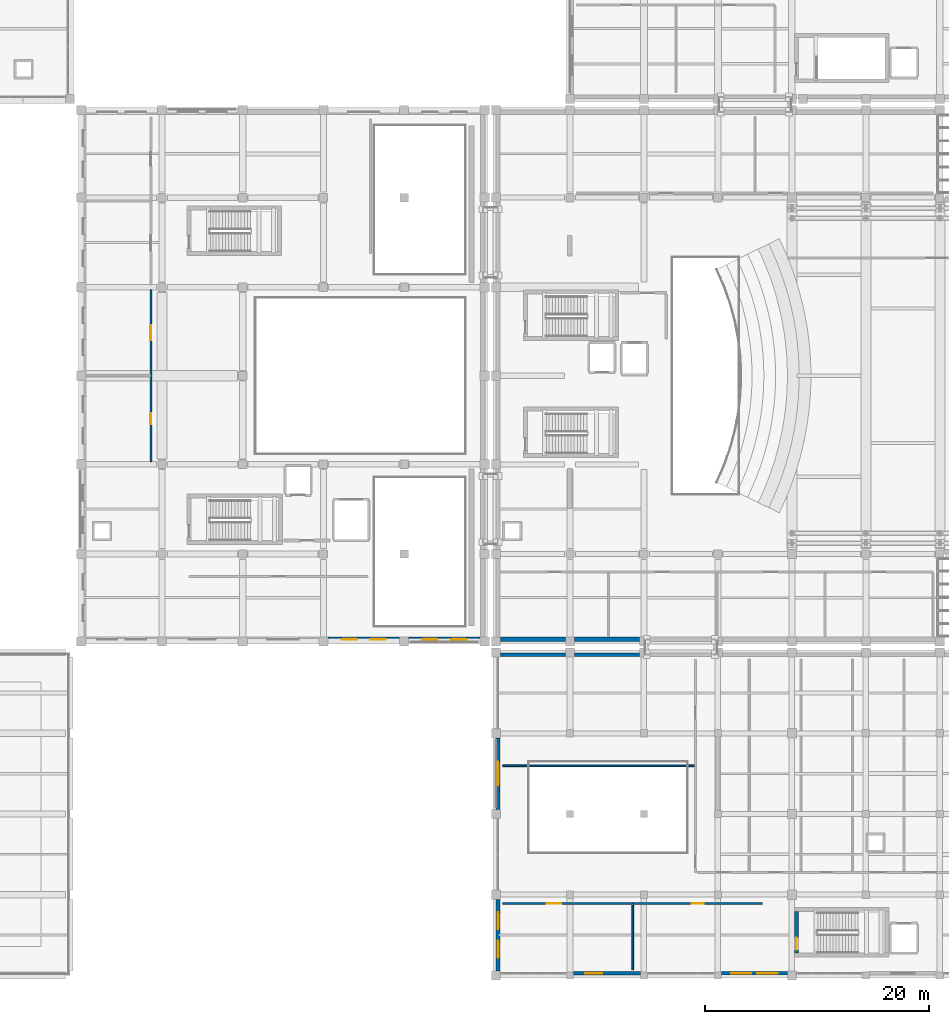
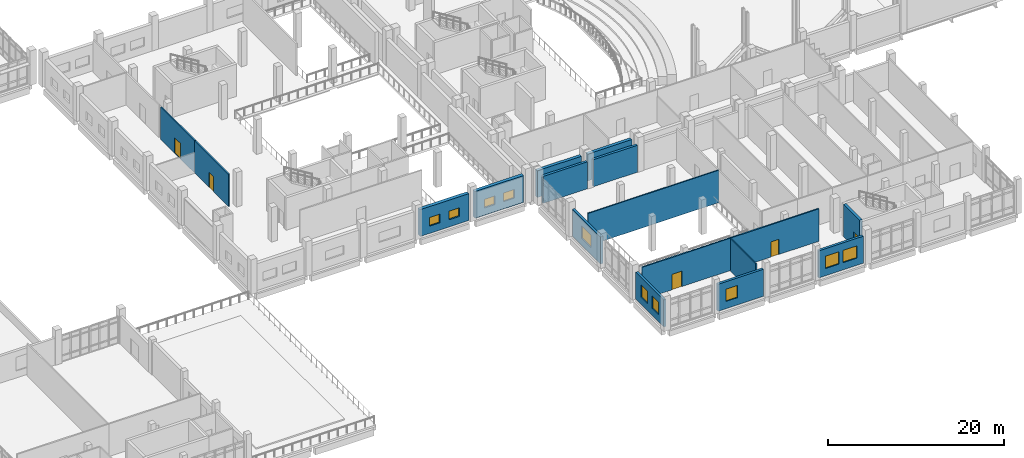
# One storey, part 50 of 73: 17 walls, 10 windows, 5 doors, 15 openings.
"""IFC4 building model written with IfcOpenShell, lengths in metres."""

from ifc_helpers import new_model, si_unit, direction, frame, frame_2d, origin, place, context, subcontext, project, spatial, rectangle, extrude, material, layer, layer_set, type_object, element, fill, save


model = new_model("IFC4")

# Units and contexts
model_context = context("Model", 3, precision=1e-05, world=origin(), true_north=direction((0.0, 1.0)))
body_context = subcontext(model_context, "Body", "Model", "MODEL_VIEW")
ifc_project = project(units=[si_unit("LENGTHUNIT", "METRE"), si_unit("AREAUNIT", "SQUARE_METRE"), si_unit("VOLUMEUNIT", "CUBIC_METRE"), si_unit("PLANEANGLEUNIT", "RADIAN"), si_unit("MASSUNIT", "GRAM", prefix="KILO")], contexts=[model_context])

# Site, building, storey
site_placement = place(None, origin())
site = spatial("IfcSite", under=ifc_project, at=site_placement, CompositionType="ELEMENT")
building_placement = place(site_placement, origin())
building = spatial("IfcBuilding", under=site, at=building_placement, Name="Kelarvand Opera House", CompositionType="ELEMENT")
storey_placement = place(building_placement, frame((0.0, 0.0, 10.199951171875)))
storey = spatial("IfcBuildingStorey", under=building, at=storey_placement, Name="L02", CompositionType="ELEMENT", Elevation=10.199951171875)

# Walls
ifc_material_1 = material(Name="Concrete C35/45", Category="concrete")
ifc_layer_1 = layer(ifc_material_1, 0.39990234375, Name="Concrete C35/45", Category="concrete")
ifc_layer_set_1 = layer_set([ifc_layer_1], Name="Concrete C35/45")
wall_type_1 = type_object("IfcWallType", Name="Acoustic Brick-Travertine Double Wall 400", PredefinedType="SOLIDWALL", material=ifc_layer_set_1)
for number, where, z_axis, x_axis, name in (
    (1, (101.7900390625, 38.97998046875, 0.0), (0.0, 0.0, 1.0), (-1.0, 0.0, 0.0), "V1 L02 Exterior Wall EW-400 (109)"),
    (2, (95.18994140625, 38.97998046875, 0.0), (0.0, 0.0, 1.0), (-1.0, 0.0, 0.0), "V1 L02 Exterior Wall EW-400 (110)"),
):
    element("IfcWall", number, at=place(storey_placement, frame(where, z_axis=z_axis, x_axis=x_axis)), inside=storey, type_object=wall_type_1, Name=name, PredefinedType="SOLIDWALL", context=body_context, shape_type="SweptSolid", body=[
        extrude(rectangle(XDim=5.780029296875, YDim=0.39990234375, at=frame_2d((2.89013671875, 0.0))), origin(), (0.0, 0.0, 1.0), 3.72216796875),
    ])
ifc_material_2 = material(Name="Acoustic double-stud gypsum partition")
ifc_layer_2 = layer(ifc_material_2, 0.14990234375, Name="Acoustic double-stud gypsum partition")
ifc_layer_set_2 = layer_set([ifc_layer_2], Name="Acoustic double-stud gypsum partition")
wall_type_2 = type_object("IfcWallType", Name="Acoustic Room Partition Wall 150", PredefinedType="PARTITIONING", material=ifc_layer_set_2)
wall_1_placement = place(storey_placement, frame((101.199951171875, 9.5, 0.0), z_axis=(0.0, 0.0, 1.0), x_axis=(0.0, 1.0, 0.0)))
element("IfcWall", 3, at=wall_1_placement, inside=storey, type_object=wall_type_2, Name="V6 L02 Partition Wall IW-150 (530)", PredefinedType="PARTITIONING", context=body_context, shape_type="SweptSolid", body=[
    extrude(rectangle(XDim=5.760009765625, YDim=0.14990234375, at=frame_2d((2.8798828125, 0.0))), origin(), (0.0, 0.0, 1.0), 4.491943359375),
])
wall_2_placement = place(storey_placement, frame((89.60009765625, 27.699951171875, 0.0), z_axis=(0.0, 0.0, 1.0), x_axis=(1.0, 0.0, 0.0)))
element("IfcWall", 4, at=wall_2_placement, inside=storey, type_object=wall_type_2, Name="V6 L02 Partition Wall IW-150 (533)", PredefinedType="PARTITIONING", context=body_context, shape_type="SweptSolid", body=[
    extrude(rectangle(XDim=17.199951171875, YDim=0.14990234375, at=frame_2d((8.60009765625, 0.0))), origin(), (0.0, 0.0, 1.0), 4.491943359375),
])

# Wall, opening, door
ifc_material_3 = material(Name="Concrete C40/50", Category="concrete")
ifc_layer_3 = layer(ifc_material_3, 0.35009765625, Name="Concrete C40/50", Category="concrete")
ifc_layer_set_3 = layer_set([ifc_layer_3], Name="Concrete C40/50")
wall_type_3 = type_object("IfcWallType", Name="Core Stair and Lift Shear Wall 350", PredefinedType="SHEAR", material=ifc_layer_set_3)
wall_3_placement = place(storey_placement, frame((115.824951171875, 11.0, 0.0), z_axis=(0.0, 0.0, 1.0), x_axis=(0.0, 1.0, 0.0)))
wall_3 = element("IfcWall", 5, at=wall_3_placement, inside=storey, type_object=wall_type_3, Name="C8 Stair Core Shear Wall W L02", PredefinedType="SHEAR", context=body_context, shape_type="SweptSolid", body=[
    extrude(rectangle(XDim=3.699951171875, YDim=0.35009765625, at=frame_2d((1.85009765625, 0.0))), origin(), (0.0, 0.0, 1.0), 4.5),
])
opening_1_placement = place(wall_3_placement, frame((0.280029296875, 0.0, 0.0)))
opening_1 = element("IfcOpeningElement", 6, at=opening_1_placement, cuts=wall_3, Name="Opening FD-01", PredefinedType="OPENING", context=body_context, shape_type="SweptSolid", body=[
    extrude(rectangle(XDim=1.10009765625, YDim=2.080078125, at=frame_2d((0.550048828125, 1.0400390625))), frame((0.0, 0.18505859375, 0.0), z_axis=(0.0, -1.0, 0.0), x_axis=(1.0, 0.0, 0.0)), (0.0, 0.0, 1.0), 0.3701171875),
])
ifc_material_4 = material(Name="Fire-rated brushed stainless steel", Category="steel")
door_type_1 = type_object("IfcDoorType", Name="Steel Fire-Rated Stair and FF Lobby Door 1100x2080", OperationType="NOTDEFINED", PredefinedType="DOOR", material=ifc_material_4)
door_1_placement = place(opening_1_placement, origin())
door_1 = element("IfcDoor", 7, at=door_1_placement, inside=storey, type_object=door_type_1, Name="C8 Stair ST-08 Fire Door L02", OperationType="SINGLE_SWING_RIGHT", OverallHeight=2.080078125, OverallWidth=1.10009765625, PredefinedType="DOOR", context=body_context, shape_type="SweptSolid", body=[
    extrude(rectangle(XDim=1.10009765625, YDim=2.080078125, at=frame_2d((0.550048828125, 1.0400390625))), frame((0.0, 0.02490234375, 0.0), z_axis=(0.0, -1.0, 0.0), x_axis=(1.0, 0.0, 0.0)), (0.0, 0.0, 1.0), 0.050048828125),
])
fill(opening_1, door_1)

ifc_layer_4 = layer(ifc_material_1, 0.179931640625, Name="Concrete C35/45", Category="concrete")
ifc_layer_set_4 = layer_set([ifc_layer_4], Name="Concrete C35/45")
wall_type_4 = type_object("IfcWallType", Name="Corridor Fire-Rated Partition Wall 180 EI90", PredefinedType="PARTITIONING", material=ifc_layer_set_4)
wall_4_placement = place(storey_placement, frame((58.199951171875, 54.800048828125, 0.0), z_axis=(0.0, 0.0, 1.0), x_axis=(0.0, 1.0, 0.0)))
wall_4 = element("IfcWall", 8, at=wall_4_placement, inside=storey, type_object=wall_type_4, Name="V2 L02 Partition Wall IW-90 (492)", PredefinedType="PARTITIONING", context=body_context, shape_type="SweptSolid", body=[
    extrude(rectangle(XDim=7.699951171875, YDim=0.179931640625, at=frame_2d((3.85009765625, 0.0))), origin(), (0.0, 0.0, 1.0), 4.47216796875),
])
opening_2_placement = place(wall_4_placement, frame((3.360107421875, 0.0, 0.0)))
opening_2 = element("IfcOpeningElement", 9, at=opening_2_placement, cuts=wall_4, Name="Opening D-09", PredefinedType="OPENING", context=body_context, shape_type="SweptSolid", body=[
    extrude(rectangle(XDim=0.97998046875, YDim=2.080078125, at=frame_2d((0.489990234375, 1.0400390625))), frame((0.0, 0.10009765625, 0.0), z_axis=(0.0, -1.0, 0.0), x_axis=(1.0, 0.0, 0.0)), (0.0, 0.0, 1.0), 0.199951171875),
])
ifc_material_5 = material(Name="Acoustic walnut-veneered hardwood", Category="wood")
door_type_2 = type_object("IfcDoorType", Name="Soloist Acoustic Timber Door 980x2080", OperationType="NOTDEFINED", PredefinedType="DOOR", material=ifc_material_5)
door_2_placement = place(opening_2_placement, origin())
door_2 = element("IfcDoor", 10, at=door_2_placement, inside=storey, type_object=door_type_2, Name="V2 L02 Door D-09 (217)", OperationType="SINGLE_SWING_RIGHT", OverallHeight=2.080078125, OverallWidth=0.97998046875, PredefinedType="DOOR", context=body_context, shape_type="SweptSolid", body=[
    extrude(rectangle(XDim=0.97998046875, YDim=2.080078125, at=frame_2d((0.489990234375, 1.0400390625))), frame((0.0, 0.02490234375, 0.0), z_axis=(0.0, -1.0, 0.0), x_axis=(1.0, 0.0, 0.0)), (0.0, 0.0, 1.0), 0.050048828125),
])
fill(opening_2, door_2)

wall_5_placement = place(storey_placement, frame((58.199951171875, 62.5, 0.0), z_axis=(0.0, 0.0, 1.0), x_axis=(0.0, 1.0, 0.0)))
wall_5 = element("IfcWall", 11, at=wall_5_placement, inside=storey, type_object=wall_type_4, Name="V2 L02 Partition Wall IW-90 (494)", PredefinedType="PARTITIONING", context=body_context, shape_type="SweptSolid", body=[
    extrude(rectangle(XDim=7.699951171875, YDim=0.179931640625, at=frame_2d((3.85009765625, 0.0))), origin(), (0.0, 0.0, 1.0), 4.47216796875),
])
opening_3_placement = place(wall_5_placement, frame((3.175048828125, 0.0, 0.0)))
opening_3 = element("IfcOpeningElement", 12, at=opening_3_placement, cuts=wall_5, Name="Opening D-12", PredefinedType="OPENING", context=body_context, shape_type="SweptSolid", body=[
    extrude(rectangle(XDim=1.35009765625, YDim=2.159912109375, at=frame_2d((0.675048828125, 1.080078125))), frame((0.0, 0.10009765625, 0.0), z_axis=(0.0, -1.0, 0.0), x_axis=(1.0, 0.0, 0.0)), (0.0, 0.0, 1.0), 0.199951171875),
])
door_type_3 = type_object("IfcDoorType", Name="Wardrobe Studio Leaf-and-Half Door 1350x2160", OperationType="NOTDEFINED", PredefinedType="DOOR", material=ifc_material_5)
door_3_placement = place(opening_3_placement, origin())
door_3 = element("IfcDoor", 13, at=door_3_placement, inside=storey, type_object=door_type_3, Name="V2 L02 Door D-12 (218)", OperationType="SINGLE_SWING_LEFT", OverallHeight=2.159912109375, OverallWidth=1.35009765625, PredefinedType="DOOR", context=body_context, shape_type="SweptSolid", body=[
    extrude(rectangle(XDim=1.35009765625, YDim=2.159912109375, at=frame_2d((0.675048828125, 1.080078125))), frame((0.0, 0.02490234375, 0.0), z_axis=(0.0, -1.0, 0.0), x_axis=(1.0, 0.0, 0.0)), (0.0, 0.0, 1.0), 0.050048828125),
])
fill(opening_3, door_3)

wall_6_placement = place(storey_placement, frame((89.60009765625, 15.39990234375, 0.0), z_axis=(0.0, 0.0, 1.0), x_axis=(1.0, 0.0, 0.0)))
wall_6 = element("IfcWall", 14, at=wall_6_placement, inside=storey, type_object=wall_type_4, Name="V6 L02 Partition Wall IW-90 (529)", PredefinedType="PARTITIONING", context=body_context, shape_type="SweptSolid", body=[
    extrude(rectangle(XDim=11.599853515625, YDim=0.179931640625, at=frame_2d((5.7998046875, 0.0))), origin(), (0.0, 0.0, 1.0), 4.491943359375),
])
opening_4_placement = place(wall_6_placement, frame((3.93408203125, 0.0, 0.0)))
opening_4 = element("IfcOpeningElement", 15, at=opening_4_placement, cuts=wall_6, Name="Opening D-11", PredefinedType="OPENING", context=body_context, shape_type="SweptSolid", body=[
    extrude(rectangle(XDim=1.280029296875, YDim=2.139892578125, at=frame_2d((0.64013671875, 1.06982421875))), frame((0.0, 0.10009765625, 0.0), z_axis=(0.0, -1.0, 0.0), x_axis=(1.0, 0.0, 0.0)), (0.0, 0.0, 1.0), 0.199951171875),
])
door_type_4 = type_object("IfcDoorType", Name="Instrument Store Leaf-and-Half Door 1280x2140", OperationType="NOTDEFINED", PredefinedType="DOOR", material=ifc_material_5)
door_4_placement = place(opening_4_placement, origin())
door_4 = element("IfcDoor", 16, at=door_4_placement, inside=storey, type_object=door_type_4, Name="V6 L02 Door D-11 (237)", OperationType="SINGLE_SWING_LEFT", OverallHeight=2.139892578125, OverallWidth=1.280029296875, PredefinedType="DOOR", context=body_context, shape_type="SweptSolid", body=[
    extrude(rectangle(XDim=1.280029296875, YDim=2.139892578125, at=frame_2d((0.64013671875, 1.06982421875))), frame((0.0, 0.02490234375, 0.0), z_axis=(0.0, -1.0, 0.0), x_axis=(1.0, 0.0, 0.0)), (0.0, 0.0, 1.0), 0.050048828125),
])
fill(opening_4, door_4)

wall_7_placement = place(storey_placement, frame((101.199951171875, 15.39990234375, 0.0), z_axis=(0.0, 0.0, 1.0), x_axis=(1.0, 0.0, 0.0)))
wall_7 = element("IfcWall", 17, at=wall_7_placement, inside=storey, type_object=wall_type_4, Name="V6 L02 Partition Wall IW-90 (531)", PredefinedType="PARTITIONING", context=body_context, shape_type="SweptSolid", body=[
    extrude(rectangle(XDim=11.60009765625, YDim=0.179931640625, at=frame_2d((5.800048828125, 0.0))), origin(), (0.0, 0.0, 1.0), 4.491943359375),
])
opening_5_placement = place(wall_7_placement, frame((5.27490234375, 0.0, 0.0)))
opening_5 = element("IfcOpeningElement", 18, at=opening_5_placement, cuts=wall_7, Name="Opening D-02", PredefinedType="OPENING", context=body_context, shape_type="SweptSolid", body=[
    extrude(rectangle(XDim=1.050048828125, YDim=2.10009765625, at=frame_2d((0.52490234375, 1.050048828125))), frame((0.0, 0.10009765625, 0.0), z_axis=(0.0, -1.0, 0.0), x_axis=(1.0, 0.0, 0.0)), (0.0, 0.0, 1.0), 0.199951171875),
])
door_type_5 = type_object("IfcDoorType", Name="Acoustic Studio Single Door 1050x2100", OperationType="NOTDEFINED", PredefinedType="DOOR", material=ifc_material_5)
door_5_placement = place(opening_5_placement, origin())
door_5 = element("IfcDoor", 19, at=door_5_placement, inside=storey, type_object=door_type_5, Name="V6 L02 Door D-02 (238)", OperationType="SINGLE_SWING_RIGHT", OverallHeight=2.10009765625, OverallWidth=1.050048828125, PredefinedType="DOOR", context=body_context, shape_type="SweptSolid", body=[
    extrude(rectangle(XDim=1.050048828125, YDim=2.10009765625, at=frame_2d((0.52490234375, 1.050048828125))), frame((0.0, 0.02490234375, 0.0), z_axis=(0.0, -1.0, 0.0), x_axis=(1.0, 0.0, 0.0)), (0.0, 0.0, 1.0), 0.050048828125),
])
fill(opening_5, door_5)

# Walls
ifc_layer_5 = layer(ifc_material_1, 0.320068359375, Name="Concrete C35/45", Category="concrete")
ifc_layer_set_5 = layer_set([ifc_layer_5], Name="Concrete C35/45")
wall_type_5 = type_object("IfcWallType", Name="Insulated Buff Brick Cavity Wall 320", PredefinedType="SOLIDWALL", material=ifc_layer_set_5)
for number, where, z_axis, x_axis, name in (
    (20, (89.409912109375, 37.6201171875, 0.0), (0.0, 0.0, 1.0), (1.0, 0.0, 0.0), "V6 L02 Exterior Wall EW-320 (737)"),
    (21, (96.010009765625, 37.6201171875, 0.0), (0.0, 0.0, 1.0), (1.0, 0.0, 0.0), "V6 L02 Exterior Wall EW-320 (738)"),
):
    element("IfcWall", number, at=place(storey_placement, frame(where, z_axis=z_axis, x_axis=x_axis)), inside=storey, type_object=wall_type_5, Name=name, PredefinedType="SOLIDWALL", context=body_context, shape_type="SweptSolid", body=[
        extrude(rectangle(XDim=5.780029296875, YDim=0.320068359375, at=frame_2d((2.89013671875, 0.0))), origin(), (0.0, 0.0, 1.0), 3.741943359375),
    ])

# Wall, openings, windows
wall_8_placement = place(storey_placement, frame((89.179931640625, 9.409912109375, 0.0), z_axis=(0.0, 0.0, 1.0), x_axis=(0.0, 1.0, 0.0)))
wall_8 = element("IfcWall", 22, at=wall_8_placement, inside=storey, type_object=wall_type_5, Name="V6 L02 Exterior Wall EW-320 (744)", PredefinedType="SOLIDWALL", context=body_context, shape_type="SweptSolid", body=[
    extrude(rectangle(XDim=6.380126953125, YDim=0.320068359375, at=frame_2d((3.18994140625, 0.0))), origin(), (0.0, 0.0, 1.0), 3.741943359375),
])
opening_6_placement = place(wall_8_placement, frame((1.1640625, 0.0, 1.0)))
opening_6 = element("IfcOpeningElement", 23, at=opening_6_placement, cuts=wall_8, Name="Opening WN-17", PredefinedType="OPENING", context=body_context, shape_type="SweptSolid", body=[
    extrude(rectangle(XDim=1.5, YDim=1.699951171875, at=frame_2d((0.75, 0.85009765625))), frame((0.0, 0.169921875, 0.0), z_axis=(0.0, -1.0, 0.0), x_axis=(1.0, 0.0, 0.0)), (0.0, 0.0, 1.0), 0.340087890625),
])
opening_7_placement = place(wall_8_placement, frame((3.716064453125, 0.0, 1.0)))
opening_7 = element("IfcOpeningElement", 24, at=opening_7_placement, cuts=wall_8, Name="Opening WN-17", PredefinedType="OPENING", context=body_context, shape_type="SweptSolid", body=[
    extrude(rectangle(XDim=1.5, YDim=1.699951171875, at=frame_2d((0.75, 0.85009765625))), frame((0.0, 0.169921875, 0.0), z_axis=(0.0, -1.0, 0.0), x_axis=(1.0, 0.0, 0.0)), (0.0, 0.0, 1.0), 0.340087890625),
])
ifc_material_6 = material(Name="Thermally broken aluminium and low-E double glazing", Category="aluminium")
window_type_1 = type_object("IfcWindowType", Name="Recessed Aluminium Thermal Window 1500x1700 WN-17", PartitioningType="SINGLE_PANEL", PredefinedType="WINDOW", material=ifc_material_6)
window_1_placement = place(opening_6_placement, origin())
window_1 = element("IfcWindow", 25, at=window_1_placement, inside=storey, type_object=window_type_1, Name="V6 L02 Facade Window WN-17 (344)", OverallHeight=1.699951171875, OverallWidth=1.5, PartitioningType="SINGLE_PANEL", PredefinedType="WINDOW", context=body_context, shape_type="SweptSolid", body=[
    extrude(rectangle(XDim=1.5, YDim=1.699951171875, at=frame_2d((0.75, 0.85009765625))), frame((0.0, 0.030029296875, 0.0), z_axis=(0.0, -1.0, 0.0), x_axis=(1.0, 0.0, 0.0)), (0.0, 0.0, 1.0), 0.06005859375),
])
fill(opening_6, window_1)
window_2_placement = place(opening_7_placement, origin())
window_2 = element("IfcWindow", 26, at=window_2_placement, inside=storey, type_object=window_type_1, Name="V6 L02 Facade Window WN-17 (345)", OverallHeight=1.699951171875, OverallWidth=1.5, PartitioningType="SINGLE_PANEL", PredefinedType="WINDOW", context=body_context, shape_type="SweptSolid", body=[
    extrude(rectangle(XDim=1.5, YDim=1.699951171875, at=frame_2d((0.75, 0.85009765625))), frame((0.0, 0.030029296875, 0.0), z_axis=(0.0, -1.0, 0.0), x_axis=(1.0, 0.0, 0.0)), (0.0, 0.0, 1.0), 0.06005859375),
])
fill(opening_7, window_2)

# Wall, opening, window
wall_9_placement = place(storey_placement, frame((89.179931640625, 23.81005859375, 0.0), z_axis=(0.0, 0.0, 1.0), x_axis=(0.0, 1.0, 0.0)))
wall_9 = element("IfcWall", 27, at=wall_9_placement, inside=storey, type_object=wall_type_5, Name="V6 L02 Exterior Wall EW-320 (745)", PredefinedType="SOLIDWALL", context=body_context, shape_type="SweptSolid", body=[
    extrude(rectangle(XDim=6.3798828125, YDim=0.320068359375, at=frame_2d((3.18994140625, 0.0))), origin(), (0.0, 0.0, 1.0), 3.741943359375),
])
opening_8_placement = place(wall_9_placement, frame((2.139892578125, 0.0, 1.0)))
opening_8 = element("IfcOpeningElement", 28, at=opening_8_placement, cuts=wall_9, Name="Opening WN-19", PredefinedType="OPENING", context=body_context, shape_type="SweptSolid", body=[
    extrude(rectangle(XDim=2.10009765625, YDim=1.699951171875, at=frame_2d((1.050048828125, 0.85009765625))), frame((0.0, 0.169921875, 0.0), z_axis=(0.0, -1.0, 0.0), x_axis=(1.0, 0.0, 0.0)), (0.0, 0.0, 1.0), 0.340087890625),
])
window_type_2 = type_object("IfcWindowType", Name="Recessed Aluminium Thermal Window 2100x1700 WN-19", PartitioningType="SINGLE_PANEL", PredefinedType="WINDOW", material=ifc_material_6)
window_3_placement = place(opening_8_placement, origin())
window_3 = element("IfcWindow", 29, at=window_3_placement, inside=storey, type_object=window_type_2, Name="V6 L02 Facade Window WN-19 (346)", OverallHeight=1.699951171875, OverallWidth=2.10009765625, PartitioningType="SINGLE_PANEL", PredefinedType="WINDOW", context=body_context, shape_type="SweptSolid", body=[
    extrude(rectangle(XDim=2.10009765625, YDim=1.699951171875, at=frame_2d((1.050048828125, 0.85009765625))), frame((0.0, 0.030029296875, 0.0), z_axis=(0.0, -1.0, 0.0), x_axis=(1.0, 0.0, 0.0)), (0.0, 0.0, 1.0), 0.06005859375),
])
fill(opening_8, window_3)

# Wall, openings, windows
wall_10_placement = place(storey_placement, frame((114.989990234375, 9.179931640625, 0.0), z_axis=(0.0, 0.0, 1.0), x_axis=(-1.0, 0.0, 0.0)))
wall_10 = element("IfcWall", 30, at=wall_10_placement, inside=storey, type_object=wall_type_5, Name="V6 L02 Exterior Wall EW-320 (747)", PredefinedType="SOLIDWALL", context=body_context, shape_type="SweptSolid", body=[
    extrude(rectangle(XDim=5.864990234375, YDim=0.320068359375, at=frame_2d((2.9326171875, 0.0))), origin(), (0.0, 0.0, 1.0), 3.741943359375),
])
opening_9_placement = place(wall_10_placement, frame((0.85888671875, 0.0, 1.0)))
opening_9 = element("IfcOpeningElement", 31, at=opening_9_placement, cuts=wall_10, Name="Opening WN-18", PredefinedType="OPENING", context=body_context, shape_type="SweptSolid", body=[
    extrude(rectangle(XDim=1.800048828125, YDim=1.699951171875, at=frame_2d((0.89990234375, 0.85009765625))), frame((0.0, 0.169921875, 0.0), z_axis=(0.0, -1.0, 0.0), x_axis=(1.0, 0.0, 0.0)), (0.0, 0.0, 1.0), 0.340087890625),
])
opening_10_placement = place(wall_10_placement, frame((3.205078125, 0.0, 1.0)))
opening_10 = element("IfcOpeningElement", 32, at=opening_10_placement, cuts=wall_10, Name="Opening WN-18", PredefinedType="OPENING", context=body_context, shape_type="SweptSolid", body=[
    extrude(rectangle(XDim=1.800048828125, YDim=1.699951171875, at=frame_2d((0.89990234375, 0.85009765625))), frame((0.0, 0.169921875, 0.0), z_axis=(0.0, -1.0, 0.0), x_axis=(1.0, 0.0, 0.0)), (0.0, 0.0, 1.0), 0.340087890625),
])
window_type_3 = type_object("IfcWindowType", Name="Recessed Aluminium Thermal Window 1800x1700 WN-18", PartitioningType="SINGLE_PANEL", PredefinedType="WINDOW", material=ifc_material_6)
window_4_placement = place(opening_9_placement, origin())
window_4 = element("IfcWindow", 33, at=window_4_placement, inside=storey, type_object=window_type_3, Name="V6 L02 Facade Window WN-18 (348)", OverallHeight=1.699951171875, OverallWidth=1.800048828125, PartitioningType="SINGLE_PANEL", PredefinedType="WINDOW", context=body_context, shape_type="SweptSolid", body=[
    extrude(rectangle(XDim=1.800048828125, YDim=1.699951171875, at=frame_2d((0.89990234375, 0.85009765625))), frame((0.0, 0.030029296875, 0.0), z_axis=(0.0, -1.0, 0.0), x_axis=(1.0, 0.0, 0.0)), (0.0, 0.0, 1.0), 0.06005859375),
])
fill(opening_9, window_4)
window_5_placement = place(opening_10_placement, origin())
window_5 = element("IfcWindow", 34, at=window_5_placement, inside=storey, type_object=window_type_3, Name="V6 L02 Facade Window WN-18 (349)", OverallHeight=1.699951171875, OverallWidth=1.800048828125, PartitioningType="SINGLE_PANEL", PredefinedType="WINDOW", context=body_context, shape_type="SweptSolid", body=[
    extrude(rectangle(XDim=1.800048828125, YDim=1.699951171875, at=frame_2d((0.89990234375, 0.85009765625))), frame((0.0, 0.030029296875, 0.0), z_axis=(0.0, -1.0, 0.0), x_axis=(1.0, 0.0, 0.0)), (0.0, 0.0, 1.0), 0.06005859375),
])
fill(opening_10, window_5)

# Wall, opening, window
wall_11_placement = place(storey_placement, frame((101.875, 9.179931640625, 0.0), z_axis=(0.0, 0.0, 1.0), x_axis=(-1.0, 0.0, 0.0)))
wall_11 = element("IfcWall", 35, at=wall_11_placement, inside=storey, type_object=wall_type_5, Name="V6 L02 Exterior Wall EW-320 (748)", PredefinedType="SOLIDWALL", context=body_context, shape_type="SweptSolid", body=[
    extrude(rectangle(XDim=5.949951171875, YDim=0.320068359375, at=frame_2d((2.97509765625, 0.0))), origin(), (0.0, 0.0, 1.0), 3.741943359375),
])
opening_11_placement = place(wall_11_placement, frame((3.4150390625, 0.0, 1.0)))
opening_11 = element("IfcOpeningElement", 36, at=opening_11_placement, cuts=wall_11, Name="Opening WN-17", PredefinedType="OPENING", context=body_context, shape_type="SweptSolid", body=[
    extrude(rectangle(XDim=1.5, YDim=1.699951171875, at=frame_2d((0.75, 0.85009765625))), frame((0.0, 0.169921875, 0.0), z_axis=(0.0, -1.0, 0.0), x_axis=(1.0, 0.0, 0.0)), (0.0, 0.0, 1.0), 0.340087890625),
])
window_6_placement = place(opening_11_placement, origin())
window_6 = element("IfcWindow", 37, at=window_6_placement, inside=storey, type_object=window_type_1, Name="V6 L02 Facade Window WN-17 (350)", OverallHeight=1.699951171875, OverallWidth=1.5, PartitioningType="SINGLE_PANEL", PredefinedType="WINDOW", context=body_context, shape_type="SweptSolid", body=[
    extrude(rectangle(XDim=1.5, YDim=1.699951171875, at=frame_2d((0.75, 0.85009765625))), frame((0.0, 0.030029296875, 0.0), z_axis=(0.0, -1.0, 0.0), x_axis=(1.0, 0.0, 0.0)), (0.0, 0.0, 1.0), 0.06005859375),
])
fill(opening_11, window_6)

# Wall, openings, windows
ifc_layer_6 = layer(ifc_material_1, 0.43994140625, Name="Concrete C35/45", Category="concrete")
ifc_layer_set_6 = layer_set([ifc_layer_6], Name="Concrete C35/45")
wall_type_6 = type_object("IfcWallType", Name="Stage House Acoustic Cavity Wall 440", PredefinedType="SOLIDWALL", material=ifc_layer_set_6)
wall_12_placement = place(storey_placement, frame((87.590087890625, 38.97998046875, 0.0), z_axis=(0.0, 0.0, 1.0), x_axis=(-1.0, 0.0, 0.0)))
wall_12 = element("IfcWall", 38, at=wall_12_placement, inside=storey, type_object=wall_type_6, Name="V2 L02 Exterior Wall EW-440 (275)", PredefinedType="SOLIDWALL", context=body_context, shape_type="SweptSolid", body=[
    extrude(rectangle(XDim=6.380126953125, YDim=0.43994140625, at=frame_2d((3.18994140625, 0.0))), origin(), (0.0, 0.0, 1.0), 3.72216796875),
])
opening_12_placement = place(wall_12_placement, frame((1.214111328125, 0.0, 1.0)))
opening_12 = element("IfcOpeningElement", 39, at=opening_12_placement, cuts=wall_12, Name="Opening WN-24", PredefinedType="OPENING", context=body_context, shape_type="SweptSolid", body=[
    extrude(rectangle(XDim=1.39990234375, YDim=1.199951171875, at=frame_2d((0.699951171875, 0.60009765625))), frame((0.0, 0.22998046875, 0.0), z_axis=(0.0, -1.0, 0.0), x_axis=(1.0, 0.0, 0.0)), (0.0, 0.0, 1.0), 0.4599609375),
])
opening_13_placement = place(wall_12_placement, frame((3.76611328125, 0.0, 1.0)))
opening_13 = element("IfcOpeningElement", 40, at=opening_13_placement, cuts=wall_12, Name="Opening WN-24", PredefinedType="OPENING", context=body_context, shape_type="SweptSolid", body=[
    extrude(rectangle(XDim=1.39990234375, YDim=1.199951171875, at=frame_2d((0.699951171875, 0.60009765625))), frame((0.0, 0.22998046875, 0.0), z_axis=(0.0, -1.0, 0.0), x_axis=(1.0, 0.0, 0.0)), (0.0, 0.0, 1.0), 0.4599609375),
])
window_type_4 = type_object("IfcWindowType", Name="Recessed Aluminium Thermal Window 1400x1200 WN-24", PartitioningType="SINGLE_PANEL", PredefinedType="WINDOW", material=ifc_material_6)
window_7_placement = place(opening_12_placement, origin())
window_7 = element("IfcWindow", 41, at=window_7_placement, inside=storey, type_object=window_type_4, Name="V2 L02 Facade Window WN-24 (57)", OverallHeight=1.199951171875, OverallWidth=1.39990234375, PartitioningType="SINGLE_PANEL", PredefinedType="WINDOW", context=body_context, shape_type="SweptSolid", body=[
    extrude(rectangle(XDim=1.39990234375, YDim=1.199951171875, at=frame_2d((0.699951171875, 0.60009765625))), frame((0.0, 0.030029296875, 0.0), z_axis=(0.0, -1.0, 0.0), x_axis=(1.0, 0.0, 0.0)), (0.0, 0.0, 1.0), 0.06005859375),
])
fill(opening_12, window_7)
window_8_placement = place(opening_13_placement, origin())
window_8 = element("IfcWindow", 42, at=window_8_placement, inside=storey, type_object=window_type_4, Name="V2 L02 Facade Window WN-24 (58)", OverallHeight=1.199951171875, OverallWidth=1.39990234375, PartitioningType="SINGLE_PANEL", PredefinedType="WINDOW", context=body_context, shape_type="SweptSolid", body=[
    extrude(rectangle(XDim=1.39990234375, YDim=1.199951171875, at=frame_2d((0.699951171875, 0.60009765625))), frame((0.0, 0.030029296875, 0.0), z_axis=(0.0, -1.0, 0.0), x_axis=(1.0, 0.0, 0.0)), (0.0, 0.0, 1.0), 0.06005859375),
])
fill(opening_13, window_8)

wall_13_placement = place(storey_placement, frame((80.389892578125, 38.97998046875, 0.0), z_axis=(0.0, 0.0, 1.0), x_axis=(-1.0, 0.0, 0.0)))
wall_13 = element("IfcWall", 43, at=wall_13_placement, inside=storey, type_object=wall_type_6, Name="V2 L02 Exterior Wall EW-440 (276)", PredefinedType="SOLIDWALL", context=body_context, shape_type="SweptSolid", body=[
    extrude(rectangle(XDim=6.3798828125, YDim=0.43994140625, at=frame_2d((3.18994140625, 0.0))), origin(), (0.0, 0.0, 1.0), 3.72216796875),
])
opening_14_placement = place(wall_13_placement, frame((1.214111328125, 0.0, 1.0)))
opening_14 = element("IfcOpeningElement", 44, at=opening_14_placement, cuts=wall_13, Name="Opening WN-24", PredefinedType="OPENING", context=body_context, shape_type="SweptSolid", body=[
    extrude(rectangle(XDim=1.39990234375, YDim=1.199951171875, at=frame_2d((0.699951171875, 0.60009765625))), frame((0.0, 0.22998046875, 0.0), z_axis=(0.0, -1.0, 0.0), x_axis=(1.0, 0.0, 0.0)), (0.0, 0.0, 1.0), 0.4599609375),
])
opening_15_placement = place(wall_13_placement, frame((3.76611328125, 0.0, 1.0)))
opening_15 = element("IfcOpeningElement", 45, at=opening_15_placement, cuts=wall_13, Name="Opening WN-24", PredefinedType="OPENING", context=body_context, shape_type="SweptSolid", body=[
    extrude(rectangle(XDim=1.39990234375, YDim=1.199951171875, at=frame_2d((0.699951171875, 0.60009765625))), frame((0.0, 0.22998046875, 0.0), z_axis=(0.0, -1.0, 0.0), x_axis=(1.0, 0.0, 0.0)), (0.0, 0.0, 1.0), 0.4599609375),
])
window_9_placement = place(opening_14_placement, origin())
window_9 = element("IfcWindow", 46, at=window_9_placement, inside=storey, type_object=window_type_4, Name="V2 L02 Facade Window WN-24 (59)", OverallHeight=1.199951171875, OverallWidth=1.39990234375, PartitioningType="SINGLE_PANEL", PredefinedType="WINDOW", context=body_context, shape_type="SweptSolid", body=[
    extrude(rectangle(XDim=1.39990234375, YDim=1.199951171875, at=frame_2d((0.699951171875, 0.60009765625))), frame((0.0, 0.030029296875, 0.0), z_axis=(0.0, -1.0, 0.0), x_axis=(1.0, 0.0, 0.0)), (0.0, 0.0, 1.0), 0.06005859375),
])
fill(opening_14, window_9)
window_10_placement = place(opening_15_placement, origin())
window_10 = element("IfcWindow", 47, at=window_10_placement, inside=storey, type_object=window_type_4, Name="V2 L02 Facade Window WN-24 (60)", OverallHeight=1.199951171875, OverallWidth=1.39990234375, PartitioningType="SINGLE_PANEL", PredefinedType="WINDOW", context=body_context, shape_type="SweptSolid", body=[
    extrude(rectangle(XDim=1.39990234375, YDim=1.199951171875, at=frame_2d((0.699951171875, 0.60009765625))), frame((0.0, 0.030029296875, 0.0), z_axis=(0.0, -1.0, 0.0), x_axis=(1.0, 0.0, 0.0)), (0.0, 0.0, 1.0), 0.06005859375),
])
fill(opening_15, window_10)

save(model, "model.ifc")
